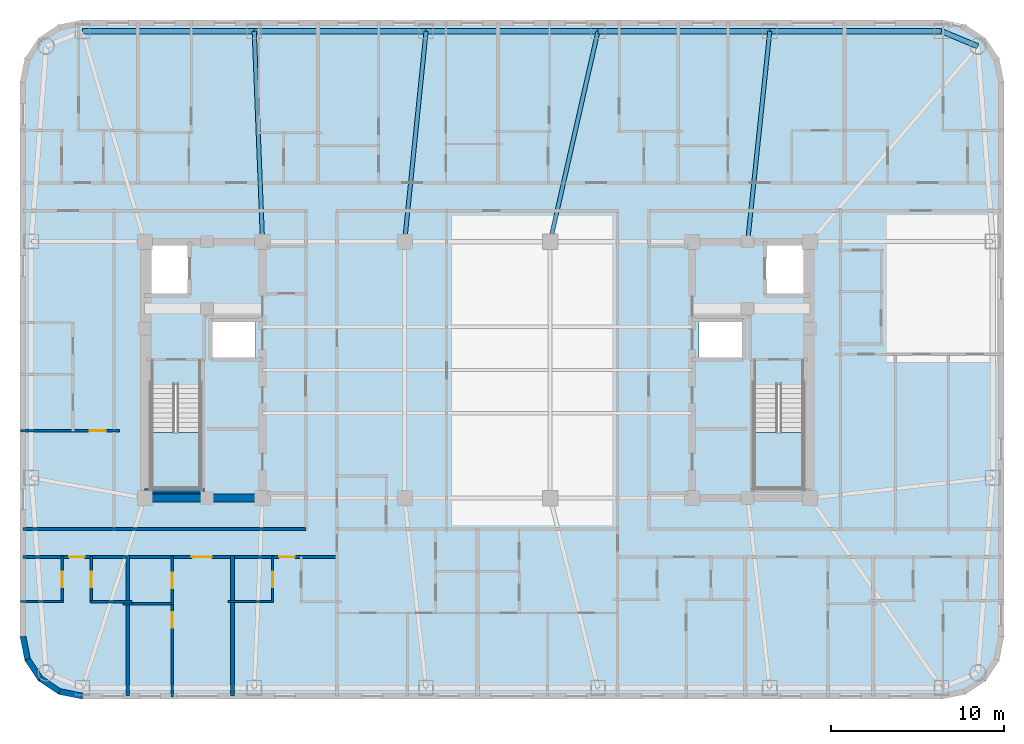
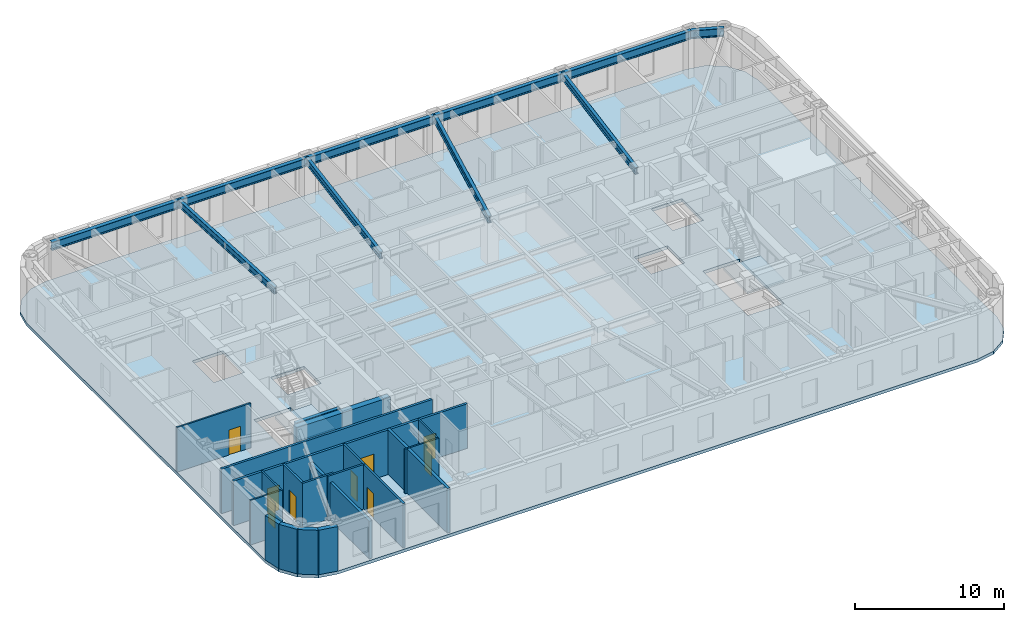
# One storey, part 2 of 11: 20 walls, 10 beams, 9 doors, 3 slabs, 9 openings, 2 elements without a shape of their own.
"""IFC4 building model written with IfcOpenShell, lengths in metres."""

from ifc_helpers import new_model, si_unit, direction, frame, frame_2d, origin, origin_2d, place, context, subcontext, project, spatial, polyline, rectangle, i_section, outline, extrude, material, layer, layer_set, material_profile, profile_set, type_object, element, fill, aggregate, save


model = new_model("IFC4")

# Units and contexts
model_context = context("Model", 3, precision=1e-05, world=origin(), true_north=direction((0.0, 1.0)))
body_context = subcontext(model_context, "Body", "Model", "MODEL_VIEW")
ifc_project = project(units=[si_unit("LENGTHUNIT", "METRE"), si_unit("AREAUNIT", "SQUARE_METRE"), si_unit("VOLUMEUNIT", "CUBIC_METRE"), si_unit("PLANEANGLEUNIT", "RADIAN"), si_unit("MASSUNIT", "GRAM", prefix="KILO")], contexts=[model_context])

# Site, building, storey
site_placement = place(None, origin())
site = spatial("IfcSite", under=ifc_project, at=site_placement, CompositionType="ELEMENT")
building_placement = place(site_placement, origin())
building = spatial("IfcBuilding", under=site, at=building_placement, Name="Voryun Gate Residences", CompositionType="ELEMENT")
storey_placement = place(building_placement, frame((0.0, 0.0, 219.699951171875)))
storey = spatial("IfcBuildingStorey", under=building, at=storey_placement, Name="L54", CompositionType="ELEMENT", Elevation=219.699951171875)

# Beams
ifc_material_1 = material(Name="Steel SM355", Category="steel")
ifc_material_profile_1 = material_profile(ifc_material_1, i_section(OverallWidth=0.300048828125, OverallDepth=0.679931640625, WebThickness=0.013916015625, FlangeThickness=0.02490234375, FilletRadius=0.01806640625, at=origin_2d()), Name="H-680x300x14x25")
ifc_profile_set_1 = profile_set([ifc_material_profile_1], Name="Steel SM355")
beam_type_1 = type_object("IfcBeamType", Name="BM_EXO_SPANDREL_M", PredefinedType="SPANDREL", material=ifc_profile_set_1)
beam_1_placement = place(storey_placement, frame((28.885986328125, 18.68603515625, 3.31005859375), z_axis=(-0.923881087602, 0.382679678022, 0.0), x_axis=(-0.382679678022, -0.923881087602, 0.0)))
element("IfcBeam", 1, at=beam_1_placement, inside=storey, type_object=beam_type_1, Name="BM-L54-SPAND-10", PredefinedType="SPANDREL", context=body_context, shape_type="SweptSolid", body=[
    extrude(i_section(OverallWidth=0.300048828125, OverallDepth=0.679931640625, WebThickness=0.013916015625, FlangeThickness=0.02490234375, FilletRadius=0.01806640625, at=origin_2d()), origin(), (0.0, 0.0, 1.0), 2.2578125),
])
beam_2_placement = place(storey_placement, frame((26.800048828125, 19.550048828125, 3.31005859375), z_axis=(-1.0, 0.0, 0.0), x_axis=(0.0, -1.0, 0.0)))
element("IfcBeam", 2, at=beam_2_placement, inside=storey, type_object=beam_type_1, Name="BM-L54-SPAND-11", PredefinedType="SPANDREL", context=body_context, shape_type="SweptSolid", body=[
    extrude(i_section(OverallWidth=0.300048828125, OverallDepth=0.679931640625, WebThickness=0.013916015625, FlangeThickness=0.02490234375, FilletRadius=0.01806640625, at=origin_2d()), origin(), (0.0, 0.0, 1.0), 9.920166015625),
])
for number, where, z_axis, x_axis, name in (
    (3, (16.8798828125, 19.550048828125, 3.31005859375), (-1.0, 0.0, 0.0), (0.0, -1.0, 0.0), "BM-L54-SPAND-12"),
    (4, (6.9599609375, 19.550048828125, 3.31005859375), (-1.0, 0.0, 0.0), (0.0, -1.0, 0.0), "BM-L54-SPAND-13"),
    (5, (-2.9599609375, 19.550048828125, 3.31005859375), (-1.0, 0.0, 0.0), (0.0, -1.0, 0.0), "BM-L54-SPAND-14"),
):
    element("IfcBeam", number, at=place(storey_placement, frame(where, z_axis=z_axis, x_axis=x_axis)), inside=storey, type_object=beam_type_1, Name=name, PredefinedType="SPANDREL", context=body_context, shape_type="SweptSolid", body=[
        extrude(i_section(OverallWidth=0.300048828125, OverallDepth=0.679931640625, WebThickness=0.013916015625, FlangeThickness=0.02490234375, FilletRadius=0.01806640625, at=origin_2d()), origin(), (0.0, 0.0, 1.0), 9.919921875),
    ])
beam_3_placement = place(storey_placement, frame((-12.8798828125, 19.550048828125, 3.31005859375), z_axis=(-1.0, 0.0, 0.0), x_axis=(0.0, -1.0, 0.0)))
element("IfcBeam", 6, at=beam_3_placement, inside=storey, type_object=beam_type_1, Name="BM-L54-SPAND-15", PredefinedType="SPANDREL", context=body_context, shape_type="SweptSolid", body=[
    extrude(i_section(OverallWidth=0.300048828125, OverallDepth=0.679931640625, WebThickness=0.013916015625, FlangeThickness=0.02490234375, FilletRadius=0.01806640625, at=origin_2d()), origin(), (0.0, 0.0, 1.0), 9.920166015625),
])
ifc_material_2 = material(Name="Steel SM355", Category="steel")
ifc_material_profile_2 = material_profile(ifc_material_2, i_section(OverallWidth=0.239990234375, OverallDepth=0.550048828125, WebThickness=0.011962890625, FlangeThickness=0.02001953125, FilletRadius=0.01806640625, at=origin_2d()), Name="H-550x240x12x20")
ifc_profile_set_2 = profile_set([ifc_material_profile_2], Name="Steel SM355")
beam_type_2 = type_object("IfcBeamType", Name="BM_GIRD_550", PredefinedType="USERDEFINED", material=ifc_profile_set_2)
beam_4_placement = place(storey_placement, frame((15.60009765625, 7.39990234375, 3.375), z_axis=(0.104751358085, 0.994498442925, 0.0), x_axis=(-0.994498442925, 0.104751358085, 0.0)))
element("IfcBeam", 7, at=beam_4_placement, inside=storey, type_object=beam_type_2, Name="BM-L54-RAD-N2", ObjectType="GIRDER", PredefinedType="USERDEFINED", context=body_context, shape_type="SweptSolid", body=[
    extrude(i_section(OverallWidth=0.239990234375, OverallDepth=0.550048828125, WebThickness=0.011962890625, FlangeThickness=0.02001953125, FilletRadius=0.01806640625, at=origin_2d()), origin(), (0.0, 0.0, 1.0), 12.21728515625),
])
beam_5_placement = place(storey_placement, frame((4.199951171875, 7.39990234375, 3.375), z_axis=(0.221515238368, 0.975156910026, 0.0), x_axis=(-0.975156910026, 0.221515238368, 0.0)))
element("IfcBeam", 8, at=beam_5_placement, inside=storey, type_object=beam_type_2, Name="BM-L54-RAD-N3", ObjectType="GIRDER", PredefinedType="USERDEFINED", context=body_context, shape_type="SweptSolid", body=[
    extrude(i_section(OverallWidth=0.239990234375, OverallDepth=0.550048828125, WebThickness=0.011962890625, FlangeThickness=0.02001953125, FilletRadius=0.01806640625, at=origin_2d()), origin(), (0.0, 0.0, 1.0), 12.459716796875),
])
beam_6_placement = place(storey_placement, frame((-4.199951171875, 7.39990234375, 3.375), z_axis=(0.101528223047, 0.994832659257, 0.0), x_axis=(-0.994832659257, 0.101528223047, 0.0)))
element("IfcBeam", 9, at=beam_6_placement, inside=storey, type_object=beam_type_2, Name="BM-L54-RAD-N4", ObjectType="GIRDER", PredefinedType="USERDEFINED", context=body_context, shape_type="SweptSolid", body=[
    extrude(i_section(OverallWidth=0.239990234375, OverallDepth=0.550048828125, WebThickness=0.011962890625, FlangeThickness=0.02001953125, FilletRadius=0.01806640625, at=origin_2d()), origin(), (0.0, 0.0, 1.0), 12.213134765625),
])
beam_7_placement = place(storey_placement, frame((-12.39990234375, 7.39990234375, 3.375), z_axis=(-0.039473300578, 0.999220625558, 0.0), x_axis=(-0.999220625558, -0.039473300578, 0.0)))
element("IfcBeam", 10, at=beam_7_placement, inside=storey, type_object=beam_type_2, Name="BM-L54-RAD-N5", ObjectType="GIRDER", PredefinedType="USERDEFINED", context=body_context, shape_type="SweptSolid", body=[
    extrude(i_section(OverallWidth=0.239990234375, OverallDepth=0.550048828125, WebThickness=0.011962890625, FlangeThickness=0.02001953125, FilletRadius=0.01806640625, at=origin_2d()), origin(), (0.0, 0.0, 1.0), 12.15966796875),
])

# Slab
ifc_material_3 = material(Name="Concrete C40/50", Category="concrete")
ifc_layer_1 = layer(ifc_material_3, 0.25, Name="SLB_RES_250")
ifc_layer_set_1 = layer_set([ifc_layer_1], Name="Concrete C40/50")
slab_type_1 = type_object("IfcSlabType", Name="SLB_RES_250", PredefinedType="FLOOR", material=ifc_layer_set_1)
slab_1_placement = place(storey_placement, frame((0.0, 0.0, -0.25)))
element("IfcSlab", 11, at=slab_1_placement, inside=storey, type_object=slab_type_1, Name="L54 Structural Floor Slab", PredefinedType="FLOOR", context=body_context, shape_type="SweptSolid", body=[
    extrude(outline(polyline([(-22.800048828125, -19.0), (-24.177734375, -18.72607421875), (-25.345458984375, -17.945556640625), (-26.1259765625, -16.777587890625), (-26.39990234375, -15.39990234375), (-26.39990234375, 16.60009765625), (-26.1259765625, 17.9775390625), (-25.345458984375, 19.1455078125), (-24.177734375, 19.926025390625), (-22.800048828125, 20.199951171875), (26.800048828125, 20.199951171875), (28.177734375, 19.926025390625), (29.345458984375, 19.1455078125), (30.1259765625, 17.9775390625), (30.39990234375, 16.60009765625), (30.39990234375, -15.39990234375), (30.1259765625, -16.777587890625), (29.345458984375, -17.945556640625), (28.177734375, -18.72607421875), (26.800048828125, -19.0), (-22.800048828125, -19.0)]), holes=[polyline([(-15.97509765625, -0.840087890625), (-18.824951171875, -0.840087890625), (-18.824951171875, -6.85009765625), (-15.97509765625, -6.85009765625), (-15.97509765625, -0.840087890625)]), polyline([(18.824951171875, -6.85009765625), (18.824951171875, -0.840087890625), (15.97509765625, -0.840087890625), (15.97509765625, -6.85009765625), (18.824951171875, -6.85009765625)]), polyline([(-12.800048828125, 2.89990234375), (-15.39990234375, 2.89990234375), (-15.39990234375, 0.60009765625), (-12.800048828125, 0.60009765625), (-12.800048828125, 2.89990234375)]), polyline([(12.800048828125, 2.89990234375), (12.800048828125, 0.60009765625), (15.39990234375, 0.60009765625), (15.39990234375, 2.89990234375), (12.800048828125, 2.89990234375)]), polyline([(-16.60009765625, 7.199951171875), (-19.0, 7.199951171875), (-19.0, 4.300048828125), (-16.60009765625, 4.300048828125), (-16.60009765625, 7.199951171875)]), polyline([(19.0, 7.199951171875), (16.60009765625, 7.199951171875), (16.60009765625, 4.300048828125), (19.0, 4.300048828125), (19.0, 7.199951171875)])]), origin(), (0.0, 0.0, 1.0), 0.25),
])

# Stair, slab
ifc_material_4 = material(Name="Concrete C40/50", Category="concrete")
stair_type = type_object("IfcStairType", Name="STR_CORE_DOGLEG_1350", PredefinedType="HALF_TURN_STAIR", material=ifc_material_4)
stair_1_placement = place(storey_placement, origin())
stair_1 = element("IfcStair", 12, at=stair_1_placement, inside=storey, type_object=stair_type, Name="L54 Special Escape Stair ST-W1", PredefinedType="HALF_TURN_STAIR")
ifc_material_5 = material(Name="Concrete C40/50", Category="concrete")
ifc_layer_2 = layer(ifc_material_5, 0.199951171875, Name="SLB_STAIR_LANDING_200")
ifc_layer_set_2 = layer_set([ifc_layer_2], Name="Concrete C40/50")
slab_type_2 = type_object("IfcSlabType", Name="SLB_STAIR_LANDING_200", PredefinedType="LANDING", material=ifc_layer_set_2)
slab_2_placement = place(storey_placement, frame((0.0, 0.0, 1.75)))
slab_2 = element("IfcSlab", 13, at=slab_2_placement, type_object=slab_type_2, Name="ST-W1 landing 1", PredefinedType="LANDING", context=body_context, shape_type="SweptSolid", body=[
    extrude(outline(polyline([(-18.824951171875, -3.60009765625), (-18.824951171875, -6.85009765625), (-15.97509765625, -6.85009765625), (-15.97509765625, -3.60009765625), (-18.824951171875, -3.60009765625)])), origin(), (0.0, 0.0, 1.0), 0.199951171875),
])
aggregate(stair_1, [slab_2])

stair_2_placement = place(storey_placement, origin())
stair_2 = element("IfcStair", 14, at=stair_2_placement, inside=storey, type_object=stair_type, Name="L54 Special Escape Stair ST-E1", PredefinedType="HALF_TURN_STAIR")
slab_3_placement = place(storey_placement, frame((0.0, 0.0, 1.75)))
slab_3 = element("IfcSlab", 15, at=slab_3_placement, type_object=slab_type_2, Name="ST-E1 landing 1", PredefinedType="LANDING", context=body_context, shape_type="SweptSolid", body=[
    extrude(outline(polyline([(15.97509765625, -3.60009765625), (15.97509765625, -6.85009765625), (18.824951171875, -6.85009765625), (18.824951171875, -3.60009765625), (15.97509765625, -3.60009765625)])), origin(), (0.0, 0.0, 1.0), 0.199951171875),
])
aggregate(stair_2, [slab_3])

# Walls
ifc_material_6 = material(Name="Concrete C50/60", Category="concrete")
ifc_layer_3 = layer(ifc_material_6, 0.449951171875, Name="CW_CORE_450")
ifc_layer_set_3 = layer_set([ifc_layer_3], Name="Concrete C50/60")
wall_type_1 = type_object("IfcWallType", Name="CW_CORE_450", PredefinedType="SHEAR", material=ifc_layer_set_3)
wall_1_placement = place(storey_placement, frame((-19.425048828125, -7.39990234375, 0.0), z_axis=(0.0, 0.0, 1.0), x_axis=(1.0, 0.0, 0.0)))
element("IfcWall", 16, at=wall_1_placement, inside=storey, type_object=wall_type_1, Name="L54 Core shear wall CW-L54-WS", PredefinedType="SHEAR", context=body_context, shape_type="SweptSolid", body=[
    extrude(rectangle(XDim=7.25, YDim=0.449951171875, at=frame_2d((3.625, 0.0))), origin(), (0.0, 0.0, 1.0), 3.650146484375),
])
ifc_material_7 = material(Name="Gypsum acoustic fireboard")
ifc_layer_4 = layer(ifc_material_7, 0.179931640625, Name="W_CORR_RATED_180")
ifc_layer_set_4 = layer_set([ifc_layer_4], Name="Gypsum acoustic fireboard")
wall_type_2 = type_object("IfcWallType", Name="W_CORR_RATED_180", PredefinedType="PARTITIONING", material=ifc_layer_set_4)
wall_2_placement = place(storey_placement, frame((-26.22998046875, -9.18994140625, 0.0), z_axis=(0.0, 0.0, 1.0), x_axis=(1.0, 0.0, 0.0)))
element("IfcWall", 17, at=wall_2_placement, inside=storey, type_object=wall_type_2, Name="Partition wall WP-L54-CWING-WS", PredefinedType="PARTITIONING", context=body_context, shape_type="SweptSolid", body=[
    extrude(rectangle(XDim=16.35009765625, YDim=0.179931640625, at=frame_2d((8.175048828125, 0.0))), origin(), (0.0, 0.0, 1.0), 3.650146484375),
])

# Wall, openings, doors
wall_3_placement = place(storey_placement, frame((-26.22998046875, -10.800048828125, 0.0), z_axis=(0.0, 0.0, 1.0), x_axis=(1.0, 0.0, 0.0)))
wall_3 = element("IfcWall", 18, at=wall_3_placement, inside=storey, type_object=wall_type_2, Name="Partition wall WP-L54-SCORR-W", PredefinedType="PARTITIONING", context=body_context, shape_type="SweptSolid", body=[
    extrude(rectangle(XDim=18.14990234375, YDim=0.179931640625, at=frame_2d((9.074951171875, 0.0))), origin(), (0.0, 0.0, 1.0), 3.650146484375),
])
opening_1_placement = place(wall_3_placement, frame((2.6591796875, 0.0, 0.0)))
opening_1 = element("IfcOpeningElement", 19, at=opening_1_placement, cuts=wall_3, Name="Opening D-INT-2", PredefinedType="OPENING", context=body_context, shape_type="SweptSolid", body=[
    extrude(rectangle(XDim=0.89990234375, YDim=2.050048828125, at=frame_2d((0.449951171875, 1.02490234375))), frame((0.0, 0.099853515625, 0.0), z_axis=(0.0, -1.0, 0.0), x_axis=(1.0, 0.0, 0.0)), (0.0, 0.0, 1.0), 0.199951171875),
])
opening_2_placement = place(wall_3_placement, frame((9.754150390625, 0.0, 0.0)))
opening_2 = element("IfcOpeningElement", 20, at=opening_2_placement, cuts=wall_3, Name="Opening D-UNIT-1", PredefinedType="OPENING", context=body_context, shape_type="SweptSolid", body=[
    extrude(rectangle(XDim=1.14990234375, YDim=2.050048828125, at=frame_2d((0.574951171875, 1.02490234375))), frame((0.0, 0.099853515625, 0.0), z_axis=(0.0, -1.0, 0.0), x_axis=(1.0, 0.0, 0.0)), (0.0, 0.0, 1.0), 0.199951171875),
])
opening_3_placement = place(wall_3_placement, frame((14.79248046875, 0.0, 0.0)))
opening_3 = element("IfcOpeningElement", 21, at=opening_3_placement, cuts=wall_3, Name="Opening D-INT-2", PredefinedType="OPENING", context=body_context, shape_type="SweptSolid", body=[
    extrude(rectangle(XDim=0.89990234375, YDim=2.050048828125, at=frame_2d((0.449951171875, 1.02490234375))), frame((0.0, 0.099853515625, 0.0), z_axis=(0.0, -1.0, 0.0), x_axis=(1.0, 0.0, 0.0)), (0.0, 0.0, 1.0), 0.199951171875),
])
ifc_material_8 = material(Name="Architectural oak veneer")
door_type_1 = type_object("IfcDoorType", Name="DR_INT_BATH_900", OperationType="NOTDEFINED", PredefinedType="DOOR", material=ifc_material_8)
door_1_placement = place(opening_1_placement, origin())
door_1 = element("IfcDoor", 22, at=door_1_placement, inside=storey, type_object=door_type_1, Name="Door DR-L54-SENT-1", OperationType="SINGLE_SWING_RIGHT", OverallHeight=2.050048828125, OverallWidth=0.89990234375, PredefinedType="DOOR", context=body_context, shape_type="SweptSolid", body=[
    extrude(rectangle(XDim=0.89990234375, YDim=2.050048828125, at=frame_2d((0.449951171875, 1.02490234375))), frame((0.0, 0.02490234375, 0.0), z_axis=(0.0, -1.0, 0.0), x_axis=(1.0, 0.0, 0.0)), (0.0, 0.0, 1.0), 0.050048828125),
])
fill(opening_1, door_1)
door_2_placement = place(opening_3_placement, origin())
door_2 = element("IfcDoor", 23, at=door_2_placement, inside=storey, type_object=door_type_1, Name="Door DR-L54-SENT-3", OperationType="SINGLE_SWING_RIGHT", OverallHeight=2.050048828125, OverallWidth=0.89990234375, PredefinedType="DOOR", context=body_context, shape_type="SweptSolid", body=[
    extrude(rectangle(XDim=0.89990234375, YDim=2.050048828125, at=frame_2d((0.449951171875, 1.02490234375))), frame((0.0, 0.02490234375, 0.0), z_axis=(0.0, -1.0, 0.0), x_axis=(1.0, 0.0, 0.0)), (0.0, 0.0, 1.0), 0.050048828125),
])
fill(opening_3, door_2)
ifc_material_9 = material(Name="Armoured timber-clad fire door", Category="wood")
door_type_2 = type_object("IfcDoorType", Name="DR_UNIT_ENTRY_1150", OperationType="NOTDEFINED", PredefinedType="DOOR", material=ifc_material_9)
door_3_placement = place(opening_2_placement, origin())
door_3 = element("IfcDoor", 24, at=door_3_placement, inside=storey, type_object=door_type_2, Name="Door DR-L54-SENT-2", OperationType="SINGLE_SWING_LEFT", OverallHeight=2.050048828125, OverallWidth=1.14990234375, PredefinedType="DOOR", context=body_context, shape_type="SweptSolid", body=[
    extrude(rectangle(XDim=1.14990234375, YDim=2.050048828125, at=frame_2d((0.574951171875, 1.02490234375))), frame((0.0, 0.02490234375, 0.0), z_axis=(0.0, -1.0, 0.0), x_axis=(1.0, 0.0, 0.0)), (0.0, 0.0, 1.0), 0.050048828125),
])
fill(opening_2, door_3)

# Walls
ifc_material_10 = material(Name="Charcoal terracotta masonry", Category="masonry")
ifc_layer_5 = layer(ifc_material_10, 0.340087890625, Name="W_EXT_TERRACOTTA_340")
ifc_layer_set_5 = layer_set([ifc_layer_5], Name="Charcoal terracotta masonry")
wall_type_3 = type_object("IfcWallType", Name="W_EXT_TERRACOTTA_340", PredefinedType="ELEMENTEDWALL", material=ifc_layer_set_5)
wall_4_placement = place(storey_placement, frame((-22.783203125, -18.830078125, 0.0), z_axis=(0.0, 0.0, 1.0), x_axis=(-0.980788153188, 0.195075878998, 0.0)))
element("IfcWall", 25, at=wall_4_placement, inside=storey, type_object=wall_type_3, Name="Exterior wall WEXT-L54-02", PredefinedType="ELEMENTEDWALL", context=body_context, shape_type="SweptSolid", body=[
    extrude(rectangle(XDim=1.354248046875, YDim=0.340087890625, at=frame_2d((0.67724609375, 0.0))), origin(), (0.0, 0.0, 1.0), 3.650146484375),
])
wall_5_placement = place(storey_placement, frame((-24.111328125, -18.56591796875, 0.0), z_axis=(0.0, 0.0, 1.0), x_axis=(-0.831403586725, 0.555669034571, 0.0)))
element("IfcWall", 26, at=wall_5_placement, inside=storey, type_object=wall_type_3, Name="Exterior wall WEXT-L54-03", PredefinedType="ELEMENTEDWALL", context=body_context, shape_type="SweptSolid", body=[
    extrude(rectangle(XDim=1.3369140625, YDim=0.340087890625, at=frame_2d((0.66845703125, 0.0))), origin(), (0.0, 0.0, 1.0), 3.650146484375),
])
wall_6_placement = place(storey_placement, frame((-25.222900390625, -17.822998046875, 0.0), z_axis=(0.0, 0.0, 1.0), x_axis=(-0.555584683399, 0.831459956686, 0.0)))
element("IfcWall", 27, at=wall_6_placement, inside=storey, type_object=wall_type_3, Name="Exterior wall WEXT-L54-04", PredefinedType="ELEMENTEDWALL", context=body_context, shape_type="SweptSolid", body=[
    extrude(rectangle(XDim=1.337158203125, YDim=0.340087890625, at=frame_2d((0.66845703125, 0.0))), origin(), (0.0, 0.0, 1.0), 3.650146484375),
])
wall_7_placement = place(storey_placement, frame((-25.9658203125, -16.711181640625, 0.0), z_axis=(0.0, 0.0, 1.0), x_axis=(-0.195110379894, 0.98078129043, 0.0)))
element("IfcWall", 28, at=wall_7_placement, inside=storey, type_object=wall_type_3, Name="Exterior wall WEXT-L54-05", PredefinedType="ELEMENTEDWALL", context=body_context, shape_type="SweptSolid", body=[
    extrude(rectangle(XDim=1.35400390625, YDim=0.340087890625, at=frame_2d((0.677001953125, 0.0))), origin(), (0.0, 0.0, 1.0), 3.650146484375),
])
ifc_material_11 = material(Name="Concrete C40/50", Category="concrete")
ifc_layer_6 = layer(ifc_material_11, 0.219970703125, Name="W_PARTY_ACOUSTIC_220")
ifc_layer_set_6 = layer_set([ifc_layer_6], Name="Concrete C40/50")
wall_type_4 = type_object("IfcWallType", Name="W_PARTY_ACOUSTIC_220", PredefinedType="PARTITIONING", material=ifc_layer_set_6)
wall_8_placement = place(storey_placement, frame((-20.18505859375, -18.830078125, 0.0), z_axis=(0.0, 0.0, 1.0), x_axis=(0.0, 1.0, 0.0)))
element("IfcWall", 29, at=wall_8_placement, inside=storey, type_object=wall_type_4, Name="Partition wall WP-L54-SPTY-1", PredefinedType="PARTITIONING", context=body_context, shape_type="SweptSolid", body=[
    extrude(rectangle(XDim=8.110107421875, YDim=0.219970703125, at=frame_2d((4.05517578125, 0.0))), origin(), (0.0, 0.0, 1.0), 3.090087890625),
])
wall_9_placement = place(storey_placement, frame((-14.132080078125, -18.830078125, 0.0), z_axis=(0.0, 0.0, 1.0), x_axis=(0.0, 1.0, 0.0)))
element("IfcWall", 30, at=wall_9_placement, inside=storey, type_object=wall_type_4, Name="Partition wall WP-L54-SPTY-2", PredefinedType="PARTITIONING", context=body_context, shape_type="SweptSolid", body=[
    extrude(rectangle(XDim=8.110107421875, YDim=0.219970703125, at=frame_2d((4.05517578125, 0.0))), origin(), (0.0, 0.0, 1.0), 3.650146484375),
])
ifc_material_12 = material(Name="Concrete C50/60", Category="concrete")
ifc_layer_7 = layer(ifc_material_12, 0.25, Name="W_SHAFT_RC250")
ifc_layer_set_7 = layer_set([ifc_layer_7], Name="Concrete C50/60")
wall_type_5 = type_object("IfcWallType", Name="W_SHAFT_RC250", PredefinedType="SOLIDWALL", material=ifc_layer_set_7)
wall_10_placement = place(storey_placement, frame((-19.199951171875, -6.965087890625, 0.0), z_axis=(0.0, 0.0, 1.0), x_axis=(1.0, 0.0, 0.0)))
element("IfcWall", 31, at=wall_10_placement, inside=storey, type_object=wall_type_5, Name="L54 Stair shaft structural wall W-STS", PredefinedType="SOLIDWALL", context=body_context, shape_type="SweptSolid", body=[
    extrude(rectangle(XDim=3.4599609375, YDim=0.25, at=frame_2d((1.72998046875, 0.0))), origin(), (0.0, 0.0, 1.0), 3.650146484375),
])

# Wall, opening, door
ifc_material_13 = material(Name="Gypsum acoustic partition")
ifc_layer_8 = layer(ifc_material_13, 0.125, Name="W_UNIT_PART_125")
ifc_layer_set_8 = layer_set([ifc_layer_8], Name="Gypsum acoustic partition")
wall_type_6 = type_object("IfcWallType", Name="W_UNIT_PART_125", PredefinedType="PARTITIONING", material=ifc_layer_set_8)
wall_11_placement = place(storey_placement, frame((-23.9599609375, -13.429931640625, 0.0), z_axis=(0.0, 0.0, 1.0), x_axis=(0.0, 1.0, 0.0)))
wall_11 = element("IfcWall", 32, at=wall_11_placement, inside=storey, type_object=wall_type_6, Name="Partition wall WP-L54-S1-CVK", PredefinedType="PARTITIONING", context=body_context, shape_type="SweptSolid", body=[
    extrude(rectangle(XDim=2.64990234375, YDim=0.125, at=frame_2d((1.324951171875, 0.0))), origin(), (0.0, 0.0, 1.0), 3.650146484375),
])
opening_4_placement = place(wall_11_placement, frame((0.875, 0.0, 0.0)))
opening_4 = element("IfcOpeningElement", 33, at=opening_4_placement, cuts=wall_11, Name="Opening D-INT-2", PredefinedType="OPENING", context=body_context, shape_type="SweptSolid", body=[
    extrude(rectangle(XDim=0.89990234375, YDim=2.050048828125, at=frame_2d((0.449951171875, 1.02490234375))), frame((0.0, 0.072509765625, 0.0), z_axis=(0.0, -1.0, 0.0), x_axis=(1.0, 0.0, 0.0)), (0.0, 0.0, 1.0), 0.14501953125),
])
door_4_placement = place(opening_4_placement, origin())
door_4 = element("IfcDoor", 34, at=door_4_placement, inside=storey, type_object=door_type_1, Name="Door DR-L54-S1-DK", OperationType="SINGLE_SWING_LEFT", OverallHeight=2.050048828125, OverallWidth=0.89990234375, PredefinedType="DOOR", context=body_context, shape_type="SweptSolid", body=[
    extrude(rectangle(XDim=0.89990234375, YDim=2.050048828125, at=frame_2d((0.449951171875, 1.02490234375))), frame((0.0, 0.02490234375, 0.0), z_axis=(0.0, -1.0, 0.0), x_axis=(1.0, 0.0, 0.0)), (0.0, 0.0, 1.0), 0.050048828125),
])
fill(opening_4, door_4)

# Wall
wall_12_placement = place(storey_placement, frame((-26.3798828125, -13.3701171875, 0.0), z_axis=(0.0, 0.0, 1.0), x_axis=(1.0, 0.0, 0.0)))
element("IfcWall", 35, at=wall_12_placement, inside=storey, type_object=wall_type_6, Name="Partition wall WP-L54-S1-CHK", PredefinedType="PARTITIONING", context=body_context, shape_type="SweptSolid", body=[
    extrude(rectangle(XDim=2.47998046875, YDim=0.125, at=frame_2d((1.239990234375, 0.0))), origin(), (0.0, 0.0, 1.0), 3.650146484375),
])

# Wall, opening, door
wall_13_placement = place(storey_placement, frame((-11.818115234375, -13.429931640625, 0.0), z_axis=(0.0, 0.0, 1.0), x_axis=(0.0, 1.0, 0.0)))
wall_13 = element("IfcWall", 36, at=wall_13_placement, inside=storey, type_object=wall_type_6, Name="Partition wall WP-L54-S3-CVK", PredefinedType="PARTITIONING", context=body_context, shape_type="SweptSolid", body=[
    extrude(rectangle(XDim=2.64990234375, YDim=0.125, at=frame_2d((1.324951171875, 0.0))), origin(), (0.0, 0.0, 1.0), 3.650146484375),
])
opening_5_placement = place(wall_13_placement, frame((0.875, 0.0, 0.0)))
opening_5 = element("IfcOpeningElement", 37, at=opening_5_placement, cuts=wall_13, Name="Opening D-INT-2", PredefinedType="OPENING", context=body_context, shape_type="SweptSolid", body=[
    extrude(rectangle(XDim=0.89990234375, YDim=2.050048828125, at=frame_2d((0.449951171875, 1.02490234375))), frame((0.0, 0.072509765625, 0.0), z_axis=(0.0, -1.0, 0.0), x_axis=(1.0, 0.0, 0.0)), (0.0, 0.0, 1.0), 0.14501953125),
])
door_5_placement = place(opening_5_placement, origin())
door_5 = element("IfcDoor", 38, at=door_5_placement, inside=storey, type_object=door_type_1, Name="Door DR-L54-S3-DK", OperationType="SINGLE_SWING_LEFT", OverallHeight=2.050048828125, OverallWidth=0.89990234375, PredefinedType="DOOR", context=body_context, shape_type="SweptSolid", body=[
    extrude(rectangle(XDim=0.89990234375, YDim=2.050048828125, at=frame_2d((0.449951171875, 1.02490234375))), frame((0.0, 0.02490234375, 0.0), z_axis=(0.0, -1.0, 0.0), x_axis=(1.0, 0.0, 0.0)), (0.0, 0.0, 1.0), 0.050048828125),
])
fill(opening_5, door_5)

# Wall
wall_14_placement = place(storey_placement, frame((-14.39208984375, -13.3701171875, 0.0), z_axis=(0.0, 0.0, 1.0), x_axis=(1.0, 0.0, 0.0)))
element("IfcWall", 39, at=wall_14_placement, inside=storey, type_object=wall_type_6, Name="Partition wall WP-L54-S3-CHK", PredefinedType="PARTITIONING", context=body_context, shape_type="SweptSolid", body=[
    extrude(rectangle(XDim=2.634033203125, YDim=0.125, at=frame_2d((1.31689453125, 0.0))), origin(), (0.0, 0.0, 1.0), 3.650146484375),
])

# Wall, opening, door
wall_15_placement = place(storey_placement, frame((-26.3798828125, -3.510009765625, 0.0), z_axis=(0.0, 0.0, 1.0), x_axis=(1.0, 0.0, 0.0)))
wall_15 = element("IfcWall", 40, at=wall_15_placement, inside=storey, type_object=wall_type_6, Name="Partition wall WP-L54-W1-HZ3", PredefinedType="PARTITIONING", context=body_context, shape_type="SweptSolid", body=[
    extrude(rectangle(XDim=5.72998046875, YDim=0.125, at=frame_2d((2.864990234375, 0.0))), origin(), (0.0, 0.0, 1.0), 3.650146484375),
])
opening_6_placement = place(wall_15_placement, frame((4.019287109375, 0.0, 0.0)))
opening_6 = element("IfcOpeningElement", 41, at=opening_6_placement, cuts=wall_15, Name="Opening D-INT-2", PredefinedType="OPENING", context=body_context, shape_type="SweptSolid", body=[
    extrude(rectangle(XDim=0.89990234375, YDim=2.050048828125, at=frame_2d((0.449951171875, 1.02490234375))), frame((0.0, 0.072509765625, 0.0), z_axis=(0.0, -1.0, 0.0), x_axis=(1.0, 0.0, 0.0)), (0.0, 0.0, 1.0), 0.14501953125),
])
door_6_placement = place(opening_6_placement, origin())
door_6 = element("IfcDoor", 42, at=door_6_placement, inside=storey, type_object=door_type_1, Name="Door DR-L54-W1-DMB", OperationType="SINGLE_SWING_LEFT", OverallHeight=2.050048828125, OverallWidth=0.89990234375, PredefinedType="DOOR", context=body_context, shape_type="SweptSolid", body=[
    extrude(rectangle(XDim=0.89990234375, YDim=2.050048828125, at=frame_2d((0.449951171875, 1.02490234375))), frame((0.0, 0.02490234375, 0.0), z_axis=(0.0, -1.0, 0.0), x_axis=(1.0, 0.0, 0.0)), (0.0, 0.0, 1.0), 0.050048828125),
])
fill(opening_6, door_6)

ifc_material_14 = material(Name="Gypsum moisture-resistant partition")
ifc_layer_9 = layer(ifc_material_14, 0.14990234375, Name="W_WET_PLUMB_150")
ifc_layer_set_9 = layer_set([ifc_layer_9], Name="Gypsum moisture-resistant partition")
wall_type_7 = type_object("IfcWallType", Name="W_WET_PLUMB_150", PredefinedType="PLUMBINGWALL", material=ifc_layer_set_9)
wall_16_placement = place(storey_placement, frame((-22.281982421875, -13.429931640625, 0.0), z_axis=(0.0, 0.0, 1.0), x_axis=(0.0, 1.0, 0.0)))
wall_16 = element("IfcWall", 43, at=wall_16_placement, inside=storey, type_object=wall_type_7, Name="Partition wall WP-L54-S1-CVB", PredefinedType="PLUMBINGWALL", context=body_context, shape_type="SweptSolid", body=[
    extrude(rectangle(XDim=2.64990234375, YDim=0.14990234375, at=frame_2d((1.324951171875, 0.0))), origin(), (0.0, 0.0, 1.0), 3.650146484375),
])
opening_7_placement = place(wall_16_placement, frame((0.875, 0.0, 0.0)))
opening_7 = element("IfcOpeningElement", 44, at=opening_7_placement, cuts=wall_16, Name="Opening D-INT-2", PredefinedType="OPENING", context=body_context, shape_type="SweptSolid", body=[
    extrude(rectangle(XDim=0.89990234375, YDim=2.050048828125, at=frame_2d((0.449951171875, 1.02490234375))), frame((0.0, 0.0849609375, 0.0), z_axis=(0.0, -1.0, 0.0), x_axis=(1.0, 0.0, 0.0)), (0.0, 0.0, 1.0), 0.169921875),
])
door_7_placement = place(opening_7_placement, origin())
door_7 = element("IfcDoor", 45, at=door_7_placement, inside=storey, type_object=door_type_1, Name="Door DR-L54-S1-DB", OperationType="SINGLE_SWING_RIGHT", OverallHeight=2.050048828125, OverallWidth=0.89990234375, PredefinedType="DOOR", context=body_context, shape_type="SweptSolid", body=[
    extrude(rectangle(XDim=0.89990234375, YDim=2.050048828125, at=frame_2d((0.449951171875, 1.02490234375))), frame((0.0, 0.02490234375, 0.0), z_axis=(0.0, -1.0, 0.0), x_axis=(1.0, 0.0, 0.0)), (0.0, 0.0, 1.0), 0.050048828125),
])
fill(opening_7, door_7)

# Walls
wall_17_placement = place(storey_placement, frame((-22.342041015625, -13.3701171875, 0.0), z_axis=(0.0, 0.0, 1.0), x_axis=(1.0, 0.0, 0.0)))
element("IfcWall", 46, at=wall_17_placement, inside=storey, type_object=wall_type_7, Name="Partition wall WP-L54-S1-CHB", PredefinedType="PLUMBINGWALL", context=body_context, shape_type="SweptSolid", body=[
    extrude(rectangle(XDim=2.4169921875, YDim=0.14990234375, at=frame_2d((1.20849609375, 0.0))), origin(), (0.0, 0.0, 1.0), 3.650146484375),
])
wall_18_placement = place(storey_placement, frame((-20.445068359375, -13.5, 0.0), z_axis=(0.0, 0.0, 1.0), x_axis=(1.0, 0.0, 0.0)))
element("IfcWall", 47, at=wall_18_placement, inside=storey, type_object=wall_type_7, Name="Partition wall WP-L54-S2-SKB", PredefinedType="PLUMBINGWALL", context=body_context, shape_type="SweptSolid", body=[
    extrude(rectangle(XDim=2.916015625, YDim=0.14990234375, at=frame_2d((1.4580078125, 0.0))), origin(), (0.0, 0.0, 1.0), 3.650146484375),
])

# Wall, opening, door
wall_19_placement = place(storey_placement, frame((-17.60888671875, -18.876708984375, 0.0), z_axis=(0.0, 0.0, 1.0), x_axis=(0.0, 1.0, 0.0)))
wall_19 = element("IfcWall", 48, at=wall_19_placement, inside=storey, type_object=wall_type_7, Name="Partition wall WP-L54-S2-SVT1", PredefinedType="PLUMBINGWALL", context=body_context, shape_type="SweptSolid", body=[
    extrude(rectangle(XDim=5.416748046875, YDim=0.14990234375, at=frame_2d((2.70849609375, 0.0))), origin(), (0.0, 0.0, 1.0), 3.650146484375),
])
opening_8_placement = place(wall_19_placement, frame((3.99169921875, 0.0, 0.0)))
opening_8 = element("IfcOpeningElement", 49, at=opening_8_placement, cuts=wall_19, Name="Opening D-INT-2", PredefinedType="OPENING", context=body_context, shape_type="SweptSolid", body=[
    extrude(rectangle(XDim=0.89990234375, YDim=2.050048828125, at=frame_2d((0.449951171875, 1.02490234375))), frame((0.0, 0.0849609375, 0.0), z_axis=(0.0, -1.0, 0.0), x_axis=(1.0, 0.0, 0.0)), (0.0, 0.0, 1.0), 0.169921875),
])
door_8_placement = place(opening_8_placement, origin())
door_8 = element("IfcDoor", 50, at=door_8_placement, inside=storey, type_object=door_type_1, Name="Door DR-L54-S2-DK", OperationType="SINGLE_SWING_LEFT", OverallHeight=2.050048828125, OverallWidth=0.89990234375, PredefinedType="DOOR", context=body_context, shape_type="SweptSolid", body=[
    extrude(rectangle(XDim=0.89990234375, YDim=2.050048828125, at=frame_2d((0.449951171875, 1.02490234375))), frame((0.0, 0.02490234375, 0.0), z_axis=(0.0, -1.0, 0.0), x_axis=(1.0, 0.0, 0.0)), (0.0, 0.0, 1.0), 0.050048828125),
])
fill(opening_8, door_8)

wall_20_placement = place(storey_placement, frame((-17.60888671875, -13.5400390625, 0.0), z_axis=(0.0, 0.0, 1.0), x_axis=(0.0, 1.0, 0.0)))
wall_20 = element("IfcWall", 51, at=wall_20_placement, inside=storey, type_object=wall_type_7, Name="Partition wall WP-L54-S2-SVT2", PredefinedType="PLUMBINGWALL", context=body_context, shape_type="SweptSolid", body=[
    extrude(rectangle(XDim=2.760009765625, YDim=0.14990234375, at=frame_2d((1.3798828125, 0.0))), origin(), (0.0, 0.0, 1.0), 3.650146484375),
])
opening_9_placement = place(wall_20_placement, frame((0.929931640625, 0.0, 0.0)))
opening_9 = element("IfcOpeningElement", 52, at=opening_9_placement, cuts=wall_20, Name="Opening D-INT-2", PredefinedType="OPENING", context=body_context, shape_type="SweptSolid", body=[
    extrude(rectangle(XDim=0.89990234375, YDim=2.050048828125, at=frame_2d((0.449951171875, 1.02490234375))), frame((0.0, 0.0849609375, 0.0), z_axis=(0.0, -1.0, 0.0), x_axis=(1.0, 0.0, 0.0)), (0.0, 0.0, 1.0), 0.169921875),
])
door_9_placement = place(opening_9_placement, origin())
door_9 = element("IfcDoor", 53, at=door_9_placement, inside=storey, type_object=door_type_1, Name="Door DR-L54-S2-DB", OperationType="SINGLE_SWING_RIGHT", OverallHeight=2.050048828125, OverallWidth=0.89990234375, PredefinedType="DOOR", context=body_context, shape_type="SweptSolid", body=[
    extrude(rectangle(XDim=0.89990234375, YDim=2.050048828125, at=frame_2d((0.449951171875, 1.02490234375))), frame((0.0, 0.02490234375, 0.0), z_axis=(0.0, -1.0, 0.0), x_axis=(1.0, 0.0, 0.0)), (0.0, 0.0, 1.0), 0.050048828125),
])
fill(opening_9, door_9)

save(model, "model.ifc")
